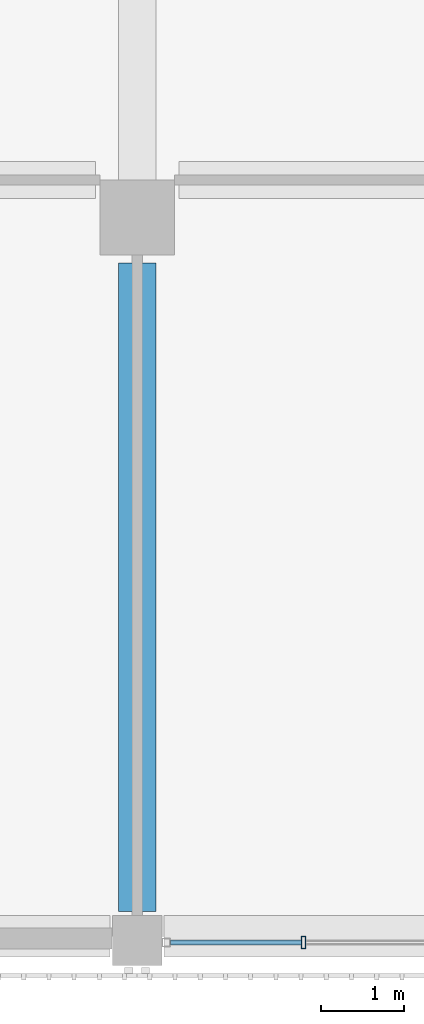
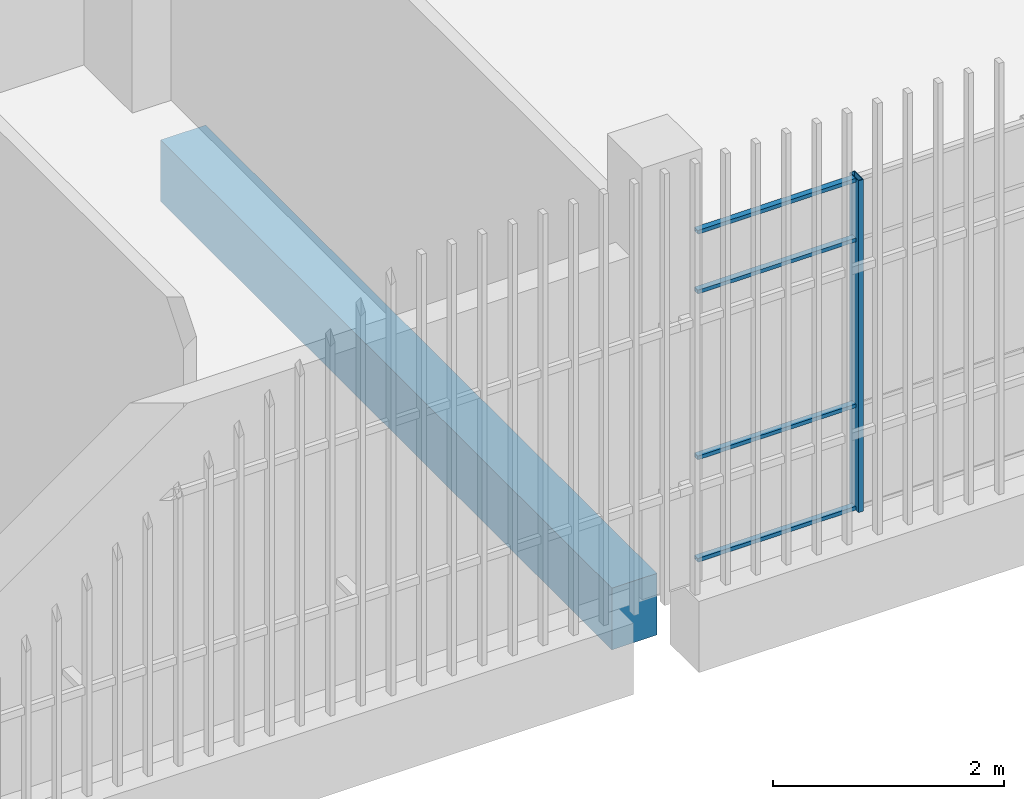
# One storey, part 8 of 104: 5 members, 1 beam, 1 element without a shape of its own.
"""IFC4 building model written with IfcOpenShell, lengths in metres."""

from ifc_helpers import new_model, si_unit, direction, frame, origin, origin_2d, place, context, subcontext, project, spatial, rectangle, hollow_rectangle, extrude, material, layer, layer_set, material_profile, profile_set, type_object, element, aggregate, save


model = new_model("IFC4")

# Units and contexts
model_context = context("Model", 3, precision=1e-05, world=origin(), true_north=direction((0.0, 1.0)))
body_context = subcontext(model_context, "Body", "Model", "MODEL_VIEW")
ifc_project = project(units=[si_unit("LENGTHUNIT", "METRE"), si_unit("AREAUNIT", "SQUARE_METRE"), si_unit("VOLUMEUNIT", "CUBIC_METRE"), si_unit("PLANEANGLEUNIT", "RADIAN"), si_unit("MASSUNIT", "GRAM", prefix="KILO")], contexts=[model_context])

# Site, building, storey
site_placement = place(None, origin())
site = spatial("IfcSite", under=ifc_project, at=site_placement, CompositionType="ELEMENT")
building_placement = place(site_placement, origin())
building = spatial("IfcBuilding", under=site, at=building_placement, Name="Shirokan Park Arena", CompositionType="ELEMENT")
storey_placement = place(building_placement, frame((0.0, 0.0, 10.919921875)))
storey = spatial("IfcBuildingStorey", under=building, at=storey_placement, Name="L02", CompositionType="ELEMENT", Elevation=10.919921875)

# Curtain wall, member
ifc_material_1 = material(Name="Steel and glass curtain wall", Category="steel")
ifc_layer = layer(ifc_material_1, 0.14990234375)
ifc_layer_set = layer_set([ifc_layer], Name="Steel and glass curtain wall 150 mm")
curtain_wall_type = type_object("IfcCurtainWallType", Name="Curtain wall exposed bay 150", PredefinedType="NOTDEFINED", material=ifc_layer_set)
curtain_wall_placement = place(storey_placement, origin())
curtain_wall = element("IfcCurtainWall", 1, at=curtain_wall_placement, inside=storey, type_object=curtain_wall_type, Name="Curtain wall south bay 6 L02", PredefinedType="NOTDEFINED")
ifc_material_2 = material(Name="Steel S355", Category="steel")
ifc_material_profile_1 = material_profile(ifc_material_2, hollow_rectangle(XDim=0.14990234375, YDim=0.050048828125, WallThickness=0.006103515625, at=origin_2d()), Name="RHS 150x50x6")
ifc_profile_set_1 = profile_set([ifc_material_profile_1], Name="Steel S355")
member_type_1 = type_object("IfcMemberType", Name="Mullion RHS 150x50x6", PredefinedType="MULLION", material=ifc_profile_set_1)
member_1_placement = place(storey_placement, frame((47.5, -0.074951171875, 0.0), z_axis=(0.0, 0.0, 1.0), x_axis=(0.0, 1.0, 0.0)))
member_1 = element("IfcMember", 2, at=member_1_placement, type_object=member_type_1, Name="CW1 mullion 2", PredefinedType="MULLION", context=body_context, shape_type="SweptSolid", body=[
    extrude(hollow_rectangle(XDim=0.14990234375, YDim=0.050048828125, WallThickness=0.006103515625, at=origin_2d()), origin(), (0.0, 0.0, 1.0), 3.5),
])

# Beam
ifc_material_3 = material(Name="Concrete C35", Category="concrete")
ifc_material_profile_2 = material_profile(ifc_material_3, rectangle(XDim=0.449951171875, YDim=0.64990234375, at=origin_2d()), Name="450x650")
ifc_profile_set_2 = profile_set([ifc_material_profile_2], Name="Concrete C35")
beam_type = type_object("IfcBeamType", Name="RC girder 450x650", PredefinedType="BEAM", material=ifc_profile_set_2)
beam_placement = place(storey_placement, frame((45.5, 0.300048828125, -0.625), z_axis=(0.0, 1.0, 0.0), x_axis=(-1.0, 0.0, 0.0)))
element("IfcBeam", 3, at=beam_placement, inside=storey, type_object=beam_type, Name="Girder 6A-6B L02", PredefinedType="BEAM", context=body_context, shape_type="SweptSolid", body=[
    extrude(rectangle(XDim=0.449951171875, YDim=0.64990234375, at=origin_2d()), origin(), (0.0, 0.0, 1.0), 7.7998046875),
])

# Member
ifc_material_profile_3 = material_profile(ifc_material_2, hollow_rectangle(XDim=0.06005859375, YDim=0.0400390625, WallThickness=0.00390625, at=origin_2d()), Name="RHS 60x40x4")
ifc_profile_set_3 = profile_set([ifc_material_profile_3], Name="Steel S355")
member_type_2 = type_object("IfcMemberType", Name="Transom RHS 60x40x4", PredefinedType="MULLION", material=ifc_profile_set_3)
member_2_placement = place(storey_placement, frame((45.89990234375, -0.074951171875, 0.02001953125), z_axis=(1.0, 0.0, 0.0), x_axis=(0.0, 1.0, 0.0)))
member_2 = element("IfcMember", 4, at=member_2_placement, type_object=member_type_2, Name="CW1 transom 1.1", PredefinedType="MULLION", context=body_context, shape_type="SweptSolid", body=[
    extrude(hollow_rectangle(XDim=0.06005859375, YDim=0.0400390625, WallThickness=0.00390625, at=origin_2d()), origin(), (0.0, 0.0, 1.0), 1.5751953125),
])

member_3_placement = place(storey_placement, frame((45.89990234375, -0.074951171875, 1.10009765625), z_axis=(1.0, 0.0, 0.0), x_axis=(0.0, 1.0, 0.0)))
member_3 = element("IfcMember", 5, at=member_3_placement, type_object=member_type_2, Name="CW1 transom 1.2", PredefinedType="MULLION", context=body_context, shape_type="SweptSolid", body=[
    extrude(hollow_rectangle(XDim=0.06005859375, YDim=0.0400390625, WallThickness=0.00390625, at=origin_2d()), origin(), (0.0, 0.0, 1.0), 1.5751953125),
])

member_4_placement = place(storey_placement, frame((45.89990234375, -0.074951171875, 2.85009765625), z_axis=(1.0, 0.0, 0.0), x_axis=(0.0, 1.0, 0.0)))
member_4 = element("IfcMember", 6, at=member_4_placement, type_object=member_type_2, Name="CW1 transom 1.3", PredefinedType="MULLION", context=body_context, shape_type="SweptSolid", body=[
    extrude(hollow_rectangle(XDim=0.06005859375, YDim=0.0400390625, WallThickness=0.00390625, at=origin_2d()), origin(), (0.0, 0.0, 1.0), 1.5751953125),
])

member_5_placement = place(storey_placement, frame((45.89990234375, -0.074951171875, 3.47998046875), z_axis=(1.0, 0.0, 0.0), x_axis=(0.0, 1.0, 0.0)))
member_5 = element("IfcMember", 7, at=member_5_placement, type_object=member_type_2, Name="CW1 transom 1.4", PredefinedType="MULLION", context=body_context, shape_type="SweptSolid", body=[
    extrude(hollow_rectangle(XDim=0.06005859375, YDim=0.0400390625, WallThickness=0.00390625, at=origin_2d()), origin(), (0.0, 0.0, 1.0), 1.5751953125),
])

aggregate(curtain_wall, [member_1, member_2, member_3, member_4, member_5])

save(model, "model.ifc")
